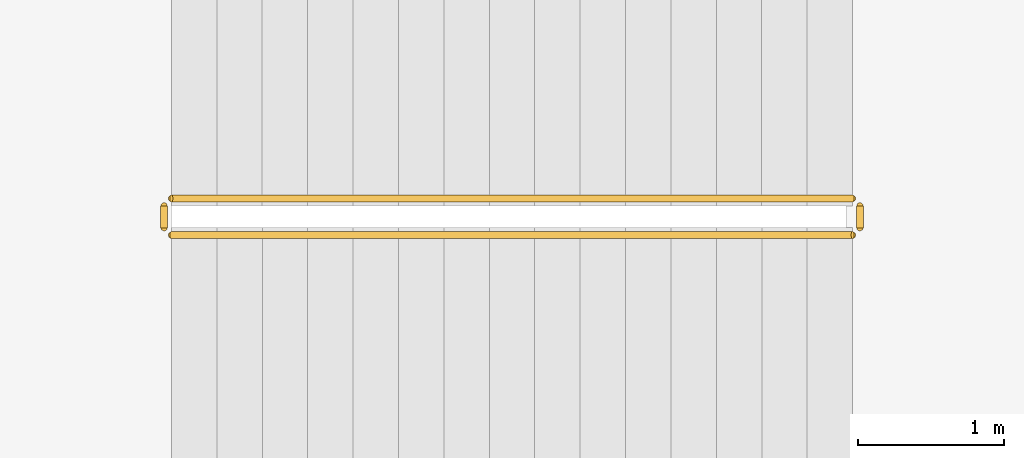
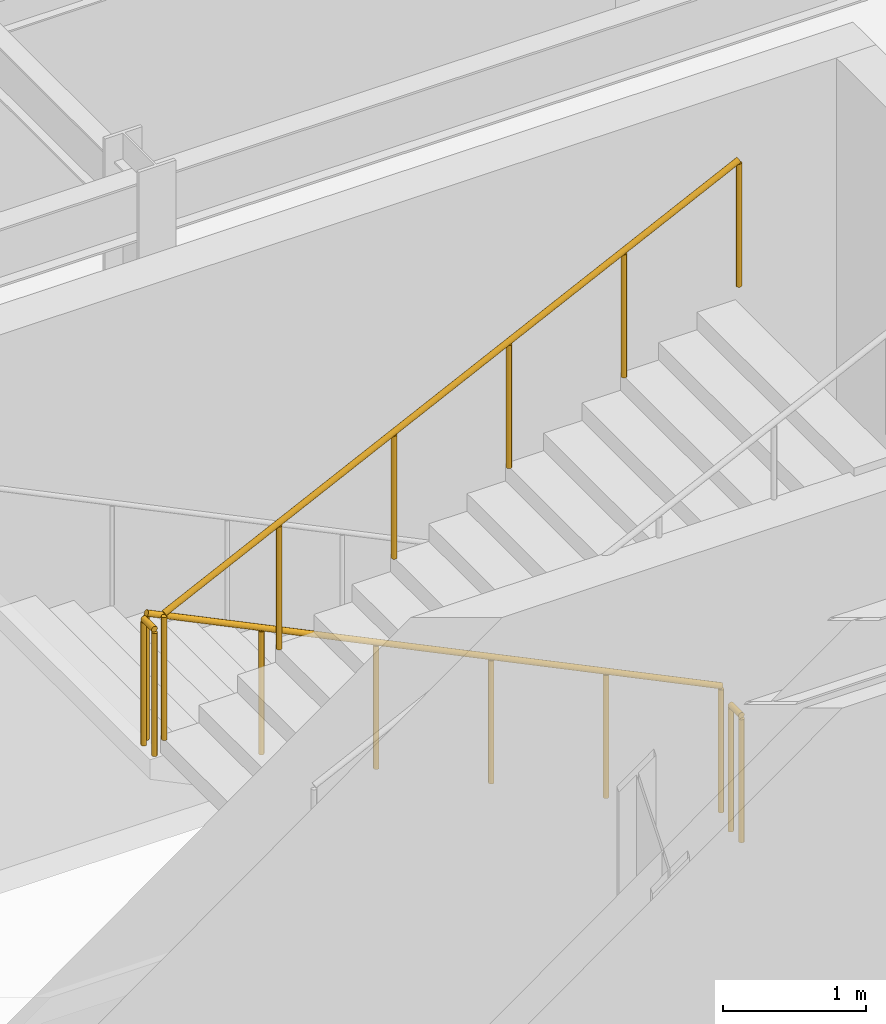
# One storey, part 75 of 83: 4 railings.
"""IFC4 building model written with IfcOpenShell, lengths in metres."""

import ifcopenshell
import ifcopenshell.guid

model = None  # the IFC model being written
_history = None  # IfcOwnerHistory: only IFC2X3 demands one
_inside = {}  # id of a spatial element -> (the spatial element, [elements in it])
_under = {}  # id of a project, library or spatial element -> (it, [spatial elements below it])
_declared = {}  # id of a project -> (the project, [libraries it declares])
_typed = {}  # id of a type object -> (the type object, [elements of that type])
_made_of = {}  # id of a material, layer set ... -> (it, [elements and type objects made of it])


def new_model(schema):
    """Start an empty IFC model of exactly this schema.

    Asked for "IFC4X3", IfcOpenShell would pick the latest addendum, in which some entities
    have other attributes; the version numbers below select the first issue.
    IFC2X3 requires an IfcOwnerHistory on every rooted entity: one is made here for all.
    """
    global model, _history
    if schema == "IFC4X3":
        model = ifcopenshell.file(schema_version=(4, 3, 0, 0))
    else:
        model = ifcopenshell.file(schema=schema)
    _inside.clear()
    _under.clear()
    _declared.clear()
    _typed.clear()
    _made_of.clear()
    _history = None
    if model.schema == "IFC2X3":
        org = make("IfcOrganization", Name="unknown")
        user = make(
            "IfcPersonAndOrganization",
            ThePerson=make("IfcPerson", FamilyName="unknown"),
            TheOrganization=org,
        )
        app = make(
            "IfcApplication",
            ApplicationDeveloper=org,
            Version="unknown",
            ApplicationFullName="unknown",
            ApplicationIdentifier="unknown",
        )
        _history = make(
            "IfcOwnerHistory",
            OwningUser=user,
            OwningApplication=app,
            ChangeAction="ADDED",
            CreationDate=0,
        )
    return model


def make(cls, **values):
    """One entity of the class cls with the attributes given. An attribute that is None is left unset."""
    return model.create_entity(
        cls, **{name: value for name, value in values.items() if value is not None}
    )


def rooted(cls, **values):
    """An entity with a GlobalId (a new one), such as an element, a storey or a relation."""
    return make(cls, GlobalId=ifcopenshell.guid.new(), OwnerHistory=_history, **values)


def si_unit(unit_type, name, prefix=None):
    """IfcSIUnit, for example si_unit("LENGTHUNIT", "METRE", prefix="MILLI")."""
    return make("IfcSIUnit", UnitType=unit_type, Prefix=prefix, Name=name)


def assignment(units):
    """IfcUnitAssignment: the units of a project."""
    return None if units is None else make("IfcUnitAssignment", Units=units)


def point(xyz):
    """IfcCartesianPoint."""
    return None if xyz is None else make("IfcCartesianPoint", Coordinates=xyz)


def direction(xyz):
    """IfcDirection."""
    return None if xyz is None else make("IfcDirection", DirectionRatios=xyz)


def frame(location, z_axis=None, x_axis=None):
    """IfcAxis2Placement3D, a coordinate frame: its origin and axes. An axis left out is left unset."""
    return make(
        "IfcAxis2Placement3D",
        Location=point(location),
        Axis=direction(z_axis),
        RefDirection=direction(x_axis),
    )


def frame_2d(location, x_axis=None):
    """IfcAxis2Placement2D, a coordinate frame in the plane: its origin and x axis."""
    return make(
        "IfcAxis2Placement2D", Location=point(location), RefDirection=direction(x_axis)
    )


def origin():
    """The frame at (0, 0, 0) with its axes left unset."""
    return frame((0.0, 0.0, 0.0))


def origin_2d():
    """The frame at (0, 0) in the plane with its x axis left unset."""
    return frame_2d((0.0, 0.0))


def place(relative_to, where):
    """IfcLocalPlacement: puts the frame where relative to a parent placement (None: the world)."""
    return make(
        "IfcLocalPlacement", PlacementRelTo=relative_to, RelativePlacement=where
    )


def context(
    kind, dimensions, precision=None, world=None, true_north=None, identifier=None
):
    """IfcGeometricRepresentationContext, for example the 3D "Model" context."""
    return make(
        "IfcGeometricRepresentationContext",
        ContextIdentifier=identifier,
        ContextType=kind,
        CoordinateSpaceDimension=dimensions,
        Precision=precision,
        WorldCoordinateSystem=world,
        TrueNorth=true_north,
    )


def subcontext(parent, identifier, kind, view, scale=None):
    """IfcGeometricRepresentationSubContext, for example "Body" below "Model"."""
    return make(
        "IfcGeometricRepresentationSubContext",
        ContextIdentifier=identifier,
        ContextType=kind,
        ParentContext=parent,
        TargetScale=scale,
        TargetView=view,
    )


def project(units=None, contexts=None):
    """IfcProject with its units and contexts."""
    return rooted(
        "IfcProject",
        Name="project",
        RepresentationContexts=contexts,
        UnitsInContext=assignment(units),
    )


def spatial(cls, under=None, at=None, **own):
    """A site, building, storey or space (cls), placed at a placement, below another one or the project."""
    s = rooted(cls, ObjectPlacement=at, **own)
    if under is not None:
        _under.setdefault(under.id(), (under, []))[1].append(s)
    return s


def profile(cls, at=None, kind="AREA", **sizes):
    """A parametric profile (cls). Its sizes go by their IFC names, for example OverallWidth=200.0."""
    return make(cls, ProfileType=kind, Position=at, **sizes)


def circle(**sizes):
    """IfcCircleProfileDef."""
    return profile("IfcCircleProfileDef", **sizes)


def extrude(swept, where, along, depth):
    """IfcExtrudedAreaSolid: the profile swept, set in the frame where, extruded along a direction by depth."""
    return make(
        "IfcExtrudedAreaSolid",
        SweptArea=swept,
        Position=where,
        ExtrudedDirection=direction(along),
        Depth=depth,
    )


def shape(context_of_items, identifier, shape_type, items):
    """IfcShapeRepresentation: the items that make up one representation, for example the "Body"."""
    return make(
        "IfcShapeRepresentation",
        ContextOfItems=context_of_items,
        RepresentationIdentifier=identifier,
        RepresentationType=shape_type,
        Items=items,
    )


def material(Name=None, Category=None):
    """IfcMaterial."""
    return make("IfcMaterial", Name=Name, Category=Category)


def made_of(thing, what):
    """Note that an element or type object is made of a material, layer set ...; save() writes the relation."""
    if what is not None:
        _made_of.setdefault(what.id(), (what, []))[1].append(thing)
    return thing


def type_object(cls, material=None, **own):
    """A type object (cls), such as IfcWallType, which elements share."""
    return made_of(rooted(cls, **own), material)


def element(
    cls,
    number,
    at=None,
    inside=None,
    cuts=None,
    type_object=None,
    material=None,
    context=None,
    identifier="Body",
    shape_type=None,
    held_by="IfcProductDefinitionShape",
    body=None,
    shapes=None,
    **own,
):
    """One element of the class cls, such as IfcWall. Its Tag is "e" and its number.

    at: its placement. inside: the storey or other place that contains it. cuts: it is an
    opening in that element (IfcRelVoidsElement). A single representation is given by context,
    identifier, shape_type and body (its items); several are given by shapes. held_by: the class
    of the entity that holds the representations. save() writes the other relations.
    """
    e = rooted(cls, Tag="e%d" % number, ObjectPlacement=at, **own)
    if body is not None:
        shapes = [shape(context, identifier, shape_type, body)]
    if shapes is not None:
        e.Representation = make(held_by, Representations=shapes)
    if inside is not None:
        _inside.setdefault(inside.id(), (inside, []))[1].append(e)
    if cuts is not None:
        rooted(
            "IfcRelVoidsElement", RelatingBuildingElement=cuts, RelatedOpeningElement=e
        )
    if type_object is not None:
        _typed.setdefault(type_object.id(), (type_object, []))[1].append(e)
    return made_of(e, material)


def aggregate(whole, parts):
    """IfcRelAggregates: a whole, such as a stair, and the parts it consists of."""
    return rooted("IfcRelAggregates", RelatingObject=whole, RelatedObjects=parts)


def save(model, path):
    """Write the relations noted so far, then the file.

    IfcRelAggregates (storeys below a building ...), IfcRelContainedInSpatialStructure (elements
    in a storey), IfcRelDefinesByType, IfcRelAssociatesMaterial and IfcRelDeclares: one each for
    every whole, place, type object, material and project.
    """
    for whole, parts in _under.values():
        aggregate(whole, parts)
    for where, things in _inside.values():
        rooted(
            "IfcRelContainedInSpatialStructure",
            RelatedElements=things,
            RelatingStructure=where,
        )
    for kind, things in _typed.values():
        rooted("IfcRelDefinesByType", RelatedObjects=things, RelatingType=kind)
    for what, things in _made_of.values():
        rooted("IfcRelAssociatesMaterial", RelatedObjects=things, RelatingMaterial=what)
    for by, libraries in _declared.values():
        rooted("IfcRelDeclares", RelatingContext=by, RelatedDefinitions=libraries)
    model.write(path)


model = new_model("IFC4")

# Units and contexts
model_context = context("Model", 3, precision=1e-05, world=origin(), true_north=direction((0.0, 1.0)))
body_context = subcontext(model_context, "Body", "Model", "MODEL_VIEW")
ifc_project = project(units=[si_unit("LENGTHUNIT", "METRE"), si_unit("AREAUNIT", "SQUARE_METRE"), si_unit("VOLUMEUNIT", "CUBIC_METRE"), si_unit("PLANEANGLEUNIT", "RADIAN"), si_unit("MASSUNIT", "GRAM", prefix="KILO")], contexts=[model_context])

# Site, building, storey
site_placement = place(None, origin())
site = spatial("IfcSite", under=ifc_project, at=site_placement, CompositionType="ELEMENT")
building_placement = place(site_placement, origin())
building = spatial("IfcBuilding", under=site, at=building_placement, Name="Solvadek Multi-Sports Hall", CompositionType="ELEMENT")
storey_placement = place(building_placement, origin())
storey = spatial("IfcBuildingStorey", under=building, at=storey_placement, Name="L00", CompositionType="ELEMENT", Elevation=0.0)

# Railings
ifc_material = material(Name="Steel E250 (250 MPa)", Category="steel")
railing_type = type_object("IfcRailingType", Name="INT-RAL-GRD115", PredefinedType="BALUSTRADE", material=ifc_material)
railing_1_placement = place(storey_placement, frame((17.199951171875, 81.89990234375, 0.14990234375)))
element("IfcRailing", 1, at=railing_1_placement, inside=storey, type_object=railing_type, Name="L00 ST-02 stair guard 1", PredefinedType="BALUSTRADE", context=body_context, shape_type="SweptSolid", body=[
    extrude(circle(Radius=0.02392578125, at=origin_2d()), frame((0.0, 0.0, 1.076171875), z_axis=(-0.900155664878, 0.0, 0.435568340204), x_axis=(0.0, -1.0, 0.0)), (0.0, 0.0, 1.0), 5.165771484375),
    extrude(circle(Radius=0.02099609375, at=origin_2d()), origin(), (0.0, 0.0, 1.0), 1.052001953125),
    extrude(circle(Radius=0.02099609375, at=origin_2d()), frame((-0.929931640625, 0.0, 0.449951171875)), (0.0, 0.0, 1.0), 1.052001953125),
    extrude(circle(Radius=0.02099609375, at=origin_2d()), frame((-1.85986328125, 0.0, 0.89990234375)), (0.0, 0.0, 1.0), 1.052001953125),
    extrude(circle(Radius=0.02099609375, at=origin_2d()), frame((-2.7900390625, 0.0, 1.35009765625)), (0.0, 0.0, 1.0), 1.052001953125),
    extrude(circle(Radius=0.02099609375, at=origin_2d()), frame((-3.719970703125, 0.0, 1.800048828125)), (0.0, 0.0, 1.0), 1.052001953125),
    extrude(circle(Radius=0.02099609375, at=origin_2d()), frame((-4.64990234375, 0.0, 2.25)), (0.0, 0.0, 1.0), 1.052001953125),
])
railing_2_placement = place(storey_placement, frame((12.5, 81.85009765625, 2.39990234375)))
element("IfcRailing", 2, at=railing_2_placement, inside=storey, type_object=railing_type, Name="L00 ST-02 stair guard 2", PredefinedType="BALUSTRADE", context=body_context, shape_type="SweptSolid", body=[
    extrude(circle(Radius=0.02392578125, at=origin_2d()), frame((0.0, 0.0, 1.076171875), z_axis=(0.0, -1.0, 0.0), x_axis=(1.0, 0.0, 0.0)), (0.0, 0.0, 1.0), 0.150146484375),
    extrude(circle(Radius=0.02099609375, at=origin_2d()), origin(), (0.0, 0.0, 1.0), 1.052001953125),
    extrude(circle(Radius=0.02099609375, at=origin_2d()), frame((0.0, -0.150146484375, 0.0)), (0.0, 0.0, 1.0), 1.052001953125),
])
railing_3_placement = place(storey_placement, frame((12.550048828125, 81.64990234375, 2.550048828125)))
element("IfcRailing", 3, at=railing_3_placement, inside=storey, type_object=railing_type, Name="L00 ST-02 stair guard 3", PredefinedType="BALUSTRADE", context=body_context, shape_type="SweptSolid", body=[
    extrude(circle(Radius=0.02392578125, at=origin_2d()), frame((0.0, 0.0, 1.076171875), z_axis=(0.900155664878, 0.0, 0.435568340204), x_axis=(0.0, 1.0, 0.0)), (0.0, 0.0, 1.0), 5.165771484375),
    extrude(circle(Radius=0.02099609375, at=origin_2d()), origin(), (0.0, 0.0, 1.0), 1.052001953125),
    extrude(circle(Radius=0.02099609375, at=origin_2d()), frame((0.929931640625, 0.0, 0.449951171875)), (0.0, 0.0, 1.0), 1.052001953125),
    extrude(circle(Radius=0.02099609375, at=origin_2d()), frame((1.85986328125, 0.0, 0.89990234375)), (0.0, 0.0, 1.0), 1.052001953125),
    extrude(circle(Radius=0.02099609375, at=origin_2d()), frame((2.7900390625, 0.0, 1.35009765625)), (0.0, 0.0, 1.0), 1.052001953125),
    extrude(circle(Radius=0.02099609375, at=origin_2d()), frame((3.719970703125, 0.0, 1.800048828125)), (0.0, 0.0, 1.0), 1.052001953125),
    extrude(circle(Radius=0.02099609375, at=origin_2d()), frame((4.64990234375, 0.0, 2.25)), (0.0, 0.0, 1.0), 1.052001953125),
])
railing_4_placement = place(storey_placement, frame((17.25, 81.85009765625, 0.0)))
element("IfcRailing", 4, at=railing_4_placement, inside=storey, type_object=railing_type, Name="L00 ST-02 stair guard 4", PredefinedType="BALUSTRADE", context=body_context, shape_type="SweptSolid", body=[
    extrude(circle(Radius=0.02392578125, at=origin_2d()), frame((0.0, 0.0, 1.076171875), z_axis=(0.0, -1.0, 0.0), x_axis=(1.0, 0.0, 0.0)), (0.0, 0.0, 1.0), 0.150146484375),
    extrude(circle(Radius=0.02099609375, at=origin_2d()), origin(), (0.0, 0.0, 1.0), 1.052001953125),
    extrude(circle(Radius=0.02099609375, at=origin_2d()), frame((0.0, -0.150146484375, 0.0)), (0.0, 0.0, 1.0), 1.052001953125),
])

save(model, "model.ifc")
